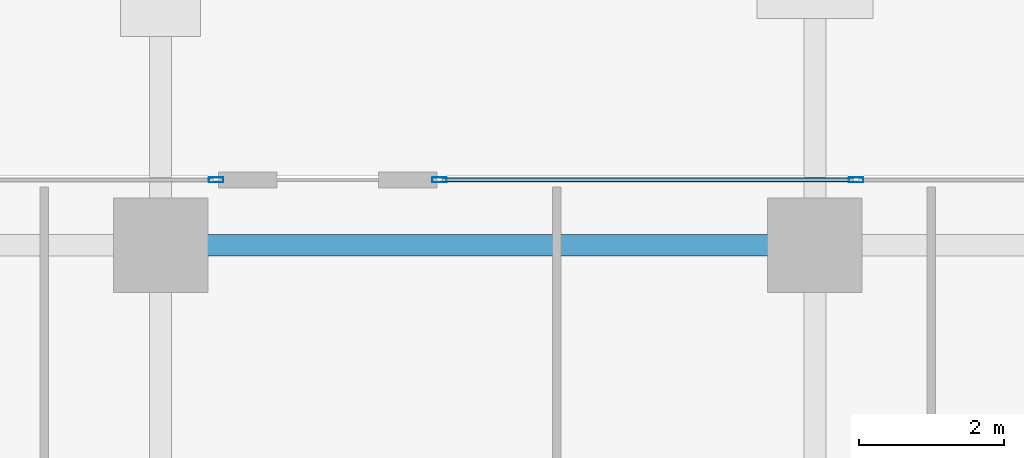
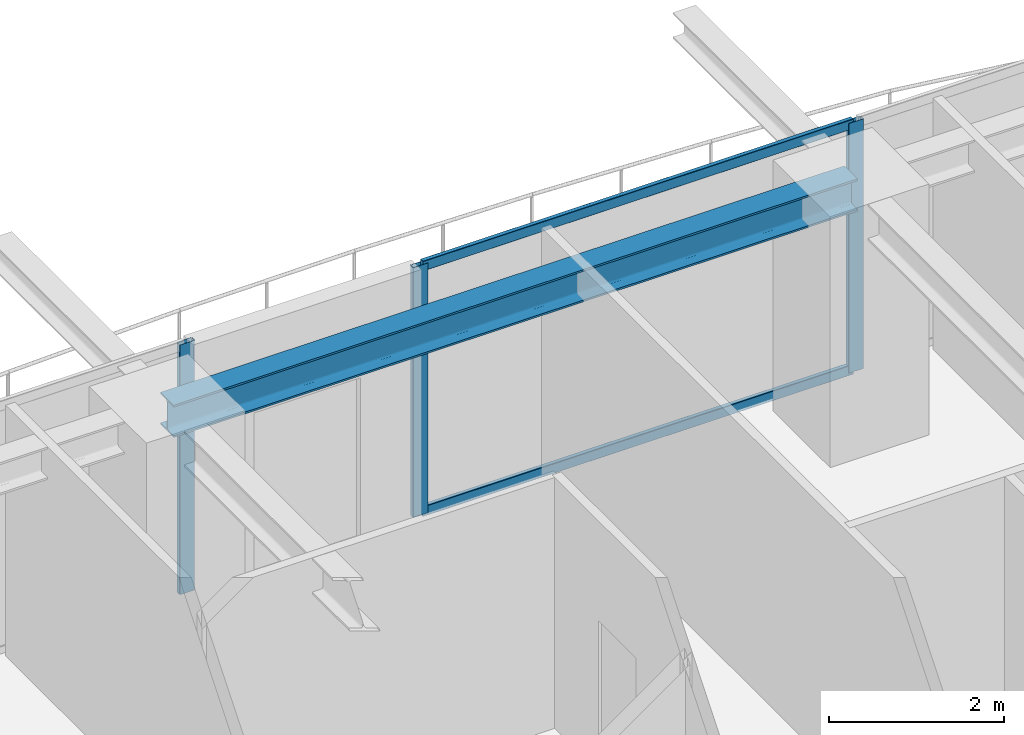
# One storey, part 19 of 34: 5 members, 1 beam, 2 elements without a shape of their own.
"""IFC4 building model written with IfcOpenShell, lengths in metres."""

from ifc_helpers import new_model, si_unit, direction, frame, origin, origin_2d, place, context, subcontext, project, spatial, hollow_rectangle, i_section, extrude, source, transform, mapped, material, layer, layer_set, material_profile, profile_set, type_object, element, aggregate, save


model = new_model("IFC4")

# Units and contexts
model_context = context("Model", 3, precision=1e-05, world=origin(), true_north=direction((0.0, 1.0)))
body_context = subcontext(model_context, "Body", "Model", "MODEL_VIEW")
ifc_project = project(units=[si_unit("LENGTHUNIT", "METRE"), si_unit("AREAUNIT", "SQUARE_METRE"), si_unit("VOLUMEUNIT", "CUBIC_METRE"), si_unit("PLANEANGLEUNIT", "RADIAN"), si_unit("MASSUNIT", "GRAM", prefix="KILO")], contexts=[model_context])

# Site, building, storey
site_placement = place(None, origin())
site = spatial("IfcSite", under=ifc_project, at=site_placement, CompositionType="ELEMENT")
building_placement = place(site_placement, origin())
building = spatial("IfcBuilding", under=site, at=building_placement, Name="Serunith Strait Residences", CompositionType="ELEMENT")
storey_placement = place(building_placement, frame((0.0, 0.0, 135.14990234375)))
storey = spatial("IfcBuildingStorey", under=building, at=storey_placement, Name="L33", CompositionType="ELEMENT", Elevation=135.14990234375)

# Beam
ifc_material_1 = material(Name="Steel S355J2", Category="steel")
ifc_material_profile_1 = material_profile(ifc_material_1, i_section(OverallWidth=0.300048828125, OverallDepth=0.449951171875, WebThickness=0.013916015625, FlangeThickness=0.02587890625, FilletRadius=0.027099609375, at=origin_2d()), Name="HEB 450")
ifc_profile_set_1 = profile_set([ifc_material_profile_1], Name="Steel S355J2")
beam_type = type_object("IfcBeamType", Name="BM-HEB450", PredefinedType="BEAM", material=ifc_profile_set_1)
shared_shape_1 = source(origin(), body_context, "Body", "SweptSolid", [
    extrude(i_section(OverallWidth=0.300048828125, OverallDepth=0.449951171875, WebThickness=0.013916015625, FlangeThickness=0.02587890625, FilletRadius=0.027099609375, at=origin_2d()), origin(), (0.0, 0.0, 1.0), 9.0),
])
beam_placement = place(storey_placement, frame((36.89990234375, 48.10009765625, 3.26220703125), z_axis=(-1.0, 0.0, 0.0), x_axis=(0.0, -1.0, 0.0)))
element("IfcBeam", 1, at=beam_placement, inside=storey, type_object=beam_type, Name="L33 Perimeter Ring Beam 10", PredefinedType="BEAM", context=body_context, shape_type="MappedRepresentation", body=[
    mapped(shared_shape_1, transform((0.0, 0.0, 0.0), scale=1.0)),
])

# Curtain wall, members
ifc_material_2 = material(Name="Pale-Champagne Anodised Aluminium", Category="aluminium")
ifc_layer = layer(ifc_material_2, 0.199951171875, Name="Pale-Champagne Anodised Aluminium")
ifc_layer_set = layer_set([ifc_layer], Name="Pale-Champagne Anodised Aluminium")
curtain_wall_type = type_object("IfcCurtainWallType", Name="CW-SYS2", PredefinedType="NOTDEFINED", material=ifc_layer_set)
curtain_wall_1_placement = place(storey_placement, origin())
curtain_wall_1 = element("IfcCurtainWall", 2, at=curtain_wall_1_placement, inside=storey, type_object=curtain_wall_type, Name="L33 N Unitised Fritted Curtain Wall", PredefinedType="NOTDEFINED")
ifc_material_profile_2 = material_profile(ifc_material_2, hollow_rectangle(XDim=0.070068359375, YDim=0.199951171875, WallThickness=0.00390625, InnerFilletRadius=0.006103515625, OuterFilletRadius=0.010009765625, at=origin_2d()), Name="ALU 200x70x4")
ifc_profile_set_2 = profile_set([ifc_material_profile_2], Name="Pale-Champagne Anodised Aluminium")
member_type_1 = type_object("IfcMemberType", Name="CW-SYS2-MULL", PredefinedType="MULLION", material=ifc_profile_set_2)
shared_shape_2 = source(origin(), body_context, "Body", "SweptSolid", [
    extrude(hollow_rectangle(XDim=0.070068359375, YDim=0.199951171875, WallThickness=0.00390625, InnerFilletRadius=0.006103515625, OuterFilletRadius=0.010009765625, at=origin_2d()), origin(), (0.0, 0.0, 1.0), 3.47509765625),
])
member_1_placement = place(storey_placement, frame((37.466552734375, 49.0, 0.0), z_axis=(0.0, 0.0, 1.0), x_axis=(0.0, -1.0, 0.0)))
member_1 = element("IfcMember", 3, at=member_1_placement, type_object=member_type_1, Name="CW-2 mullion 3", PredefinedType="MULLION", context=body_context, shape_type="MappedRepresentation", body=[
    mapped(shared_shape_2, transform((0.0, 0.0, 0.0), scale=1.0)),
])
member_2_placement = place(storey_placement, frame((31.735107421875, 49.0, 0.0), z_axis=(0.0, 0.0, 1.0), x_axis=(0.0, -1.0, 0.0)))
member_2 = element("IfcMember", 4, at=member_2_placement, type_object=member_type_1, Name="CW-2 mullion 4", PredefinedType="MULLION", context=body_context, shape_type="MappedRepresentation", body=[
    mapped(shared_shape_2, transform((0.0, 0.0, 0.0), scale=1.0)),
])

# Curtain wall, member
curtain_wall_2_placement = place(storey_placement, origin())
curtain_wall_2 = element("IfcCurtainWall", 5, at=curtain_wall_2_placement, inside=storey, type_object=curtain_wall_type, Name="L33 N Unitised Fritted Curtain Wall", PredefinedType="NOTDEFINED")
member_3_placement = place(storey_placement, frame((28.6650390625, 49.0, 0.0), z_axis=(0.0, 0.0, 1.0), x_axis=(0.0, -1.0, 0.0)))
member_3 = element("IfcMember", 6, at=member_3_placement, type_object=member_type_1, Name="CW-2 mullion 1", PredefinedType="MULLION", context=body_context, shape_type="MappedRepresentation", body=[
    mapped(shared_shape_2, transform((0.0, 0.0, 0.0), scale=1.0)),
])
aggregate(curtain_wall_2, [member_3])

# Member
ifc_material_profile_3 = material_profile(ifc_material_2, hollow_rectangle(XDim=0.06005859375, YDim=0.139892578125, WallThickness=0.00341796875, InnerFilletRadius=0.00537109375, OuterFilletRadius=0.0087890625, at=origin_2d()), Name="ALU 140x60x3.5")
ifc_profile_set_3 = profile_set([ifc_material_profile_3], Name="Pale-Champagne Anodised Aluminium")
member_type_2 = type_object("IfcMemberType", Name="CW-SYS2-TRAN", PredefinedType="USERDEFINED", material=ifc_profile_set_3)
shared_shape_3 = source(origin(), body_context, "Body", "SweptSolid", [
    extrude(hollow_rectangle(XDim=0.06005859375, YDim=0.139892578125, WallThickness=0.00341796875, InnerFilletRadius=0.00537109375, OuterFilletRadius=0.0087890625, at=origin_2d()), origin(), (0.0, 0.0, 1.0), 5.66162109375),
])
member_4_placement = place(storey_placement, frame((37.431640625, 49.0, 0.030029296875), z_axis=(-1.0, 0.0, 0.0), x_axis=(0.0, -1.0, 0.0)))
member_4 = element("IfcMember", 7, at=member_4_placement, type_object=member_type_2, Name="CW-2 transom 3.1", ObjectType="TRANSOM", PredefinedType="USERDEFINED", context=body_context, shape_type="MappedRepresentation", body=[
    mapped(shared_shape_3, transform((0.0, 0.0, 0.0), scale=1.0)),
])

member_5_placement = place(storey_placement, frame((37.431640625, 49.0, 3.445068359375), z_axis=(-1.0, 0.0, 0.0), x_axis=(0.0, -1.0, 0.0)))
member_5 = element("IfcMember", 8, at=member_5_placement, type_object=member_type_2, Name="CW-2 transom 3.2", ObjectType="TRANSOM", PredefinedType="USERDEFINED", context=body_context, shape_type="MappedRepresentation", body=[
    mapped(shared_shape_3, transform((0.0, 0.0, 0.0), scale=1.0)),
])

aggregate(curtain_wall_1, [member_1, member_2, member_4, member_5])

save(model, "model.ifc")
